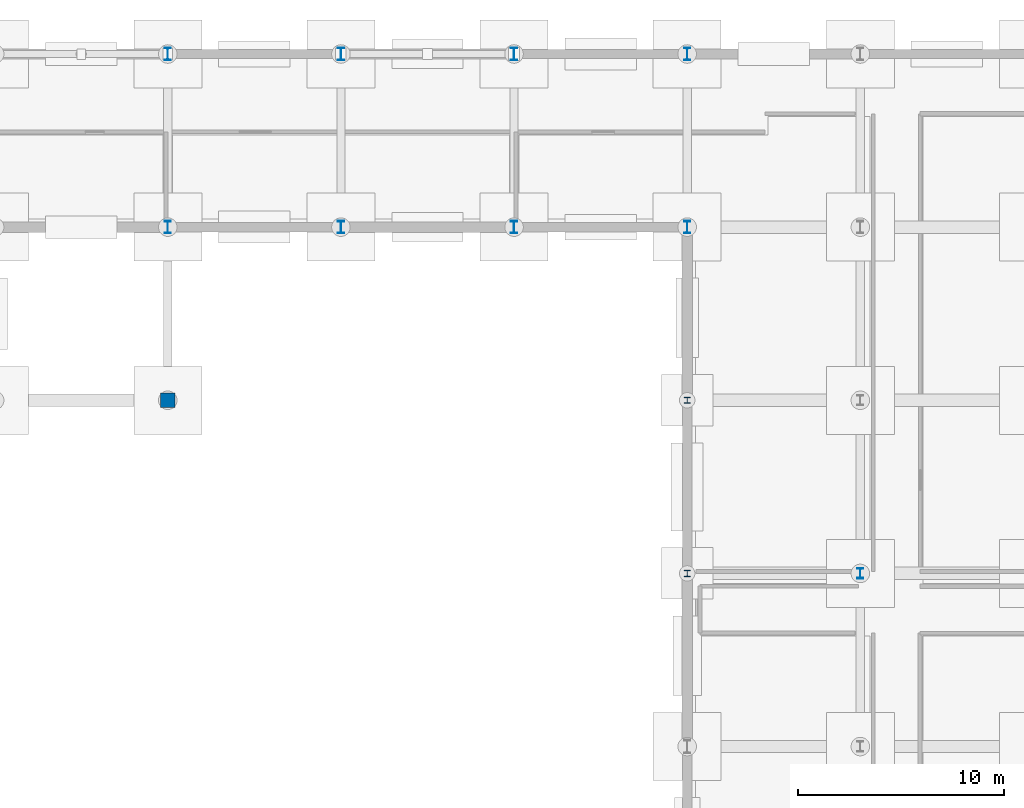
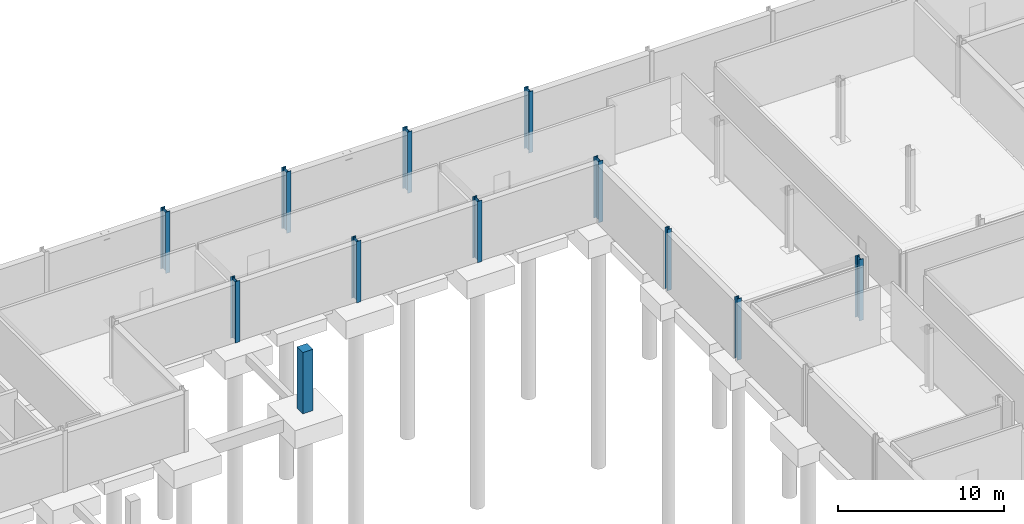
# One storey, part 18 of 43: 12 columns.
"""IFC4 building model written with IfcOpenShell, lengths in metres."""

from ifc_helpers import new_model, si_unit, direction, frame, origin, origin_2d, place, context, subcontext, project, spatial, rectangle, i_section, extrude, material, material_profile, profile_set, type_object, element, save


model = new_model("IFC4")

# Units and contexts
model_context = context("Model", 3, precision=1e-05, world=origin(), true_north=direction((0.0, 1.0)))
body_context = subcontext(model_context, "Body", "Model", "MODEL_VIEW")
ifc_project = project(units=[si_unit("LENGTHUNIT", "METRE"), si_unit("AREAUNIT", "SQUARE_METRE"), si_unit("VOLUMEUNIT", "CUBIC_METRE"), si_unit("PLANEANGLEUNIT", "RADIAN"), si_unit("MASSUNIT", "GRAM", prefix="KILO")], contexts=[model_context])

# Site, building, storey
site_placement = place(None, origin())
site = spatial("IfcSite", under=ifc_project, at=site_placement, CompositionType="ELEMENT")
building_placement = place(site_placement, origin())
building = spatial("IfcBuilding", under=site, at=building_placement, Name="Mersafa Astral City Hall", CompositionType="ELEMENT")
storey_placement = place(building_placement, frame((0.0, 0.0, -4.5)))
storey = spatial("IfcBuildingStorey", under=building, at=storey_placement, Name="B1", CompositionType="ELEMENT", Elevation=-4.5)

# Columns
ifc_material_1 = material(Name="Steel S355", Category="steel")
ifc_material_profile_1 = material_profile(ifc_material_1, i_section(OverallWidth=0.300048828125, OverallDepth=0.300048828125, WebThickness=0.010986328125, FlangeThickness=0.01904296875, FilletRadius=0.027099609375, at=origin_2d()), Name="HEB 300")
ifc_profile_set_1 = profile_set([ifc_material_profile_1], Name="Steel S355")
column_type_1 = type_object("IfcColumnType", Name="STR-COL-HEB300", PredefinedType="COLUMN", material=ifc_profile_set_1)
for number, where, z_axis, x_axis, name in (
    (1, (92.39990234375, 100.800048828125, 0.0), (0.0, 0.0, 1.0), (1.0, 0.0, 0.0), "B1 Structural column G-11-12"),
    (2, (92.39990234375, 109.199951171875, 0.0), (0.0, 0.0, 1.0), (1.0, 0.0, 0.0), "B1 Structural column G-11-13"),
):
    element("IfcColumn", number, at=place(storey_placement, frame(where, z_axis=z_axis, x_axis=x_axis)), inside=storey, type_object=column_type_1, Name=name, PredefinedType="COLUMN", context=body_context, shape_type="SweptSolid", body=[
        extrude(i_section(OverallWidth=0.300048828125, OverallDepth=0.300048828125, WebThickness=0.010986328125, FlangeThickness=0.01904296875, FilletRadius=0.027099609375, at=origin_2d()), origin(), (0.0, 0.0, 1.0), 4.5),
    ])
ifc_material_profile_2 = material_profile(ifc_material_1, i_section(OverallWidth=0.300048828125, OverallDepth=0.5, WebThickness=0.014404296875, FlangeThickness=0.028076171875, FilletRadius=0.027099609375, at=origin_2d()), Name="HEB 500")
ifc_profile_set_2 = profile_set([ifc_material_profile_2], Name="Steel S355")
column_type_2 = type_object("IfcColumnType", Name="STR-COL-HEB500", PredefinedType="COLUMN", material=ifc_profile_set_2)
column_1_placement = place(storey_placement, frame((100.800048828125, 100.800048828125, 0.0), z_axis=(0.0, 0.0, 1.0), x_axis=(1.0, 0.0, 0.0)))
element("IfcColumn", 3, at=column_1_placement, inside=storey, type_object=column_type_2, Name="B1 Structural column G-12-12", PredefinedType="COLUMN", context=body_context, shape_type="SweptSolid", body=[
    extrude(i_section(OverallWidth=0.300048828125, OverallDepth=0.5, WebThickness=0.014404296875, FlangeThickness=0.028076171875, FilletRadius=0.027099609375, at=origin_2d()), origin(), (0.0, 0.0, 1.0), 4.5),
])
ifc_material_profile_3 = material_profile(ifc_material_1, i_section(OverallWidth=0.300048828125, OverallDepth=0.60009765625, WebThickness=0.015380859375, FlangeThickness=0.030029296875, FilletRadius=0.027099609375, at=origin_2d()), Name="HEB 600")
ifc_profile_set_3 = profile_set([ifc_material_profile_3], Name="Steel S355")
column_type_3 = type_object("IfcColumnType", Name="STR-COL-HEB600", PredefinedType="COLUMN", material=ifc_profile_set_3)
for number, where, z_axis, x_axis, name in (
    (4, (67.199951171875, 117.60009765625, 0.0), (0.0, 0.0, 1.0), (1.0, 0.0, 0.0), "B1 Structural column G-08-14"),
    (5, (67.199951171875, 126.0, 0.0), (0.0, 0.0, 1.0), (1.0, 0.0, 0.0), "B1 Structural column G-08-15"),
    (6, (75.60009765625, 117.60009765625, 0.0), (0.0, 0.0, 1.0), (1.0, 0.0, 0.0), "B1 Structural column G-09-14"),
    (7, (75.60009765625, 126.0, 0.0), (0.0, 0.0, 1.0), (1.0, 0.0, 0.0), "B1 Structural column G-09-15"),
    (8, (84.0, 117.60009765625, 0.0), (0.0, 0.0, 1.0), (1.0, 0.0, 0.0), "B1 Structural column G-10-14"),
    (9, (84.0, 126.0, 0.0), (0.0, 0.0, 1.0), (1.0, 0.0, 0.0), "B1 Structural column G-10-15"),
    (10, (92.39990234375, 117.60009765625, 0.0), (0.0, 0.0, 1.0), (1.0, 0.0, 0.0), "B1 Structural column G-11-14"),
    (11, (92.39990234375, 126.0, 0.0), (0.0, 0.0, 1.0), (1.0, 0.0, 0.0), "B1 Structural column G-11-15"),
):
    element("IfcColumn", number, at=place(storey_placement, frame(where, z_axis=z_axis, x_axis=x_axis)), inside=storey, type_object=column_type_3, Name=name, PredefinedType="COLUMN", context=body_context, shape_type="SweptSolid", body=[
        extrude(i_section(OverallWidth=0.300048828125, OverallDepth=0.60009765625, WebThickness=0.015380859375, FlangeThickness=0.030029296875, FilletRadius=0.027099609375, at=origin_2d()), origin(), (0.0, 0.0, 1.0), 4.5),
    ])
ifc_material_2 = material(Name="Concrete C40/50", Category="concrete")
ifc_material_profile_4 = material_profile(ifc_material_2, rectangle(XDim=0.699951171875, YDim=0.699951171875, at=origin_2d()), Name="RC 700x700")
ifc_profile_set_4 = profile_set([ifc_material_profile_4], Name="Concrete C40/50")
column_type_4 = type_object("IfcColumnType", Name="STR-COL-RC700", PredefinedType="COLUMN", material=ifc_profile_set_4)
column_2_placement = place(storey_placement, frame((67.199951171875, 109.199951171875, 0.0), z_axis=(0.0, 0.0, 1.0), x_axis=(1.0, 0.0, 0.0)))
element("IfcColumn", 12, at=column_2_placement, inside=storey, type_object=column_type_4, Name="B1 Structural column G-08-13", PredefinedType="COLUMN", context=body_context, shape_type="SweptSolid", body=[
    extrude(rectangle(XDim=0.699951171875, YDim=0.699951171875, at=origin_2d()), origin(), (0.0, 0.0, 1.0), 4.5),
])

save(model, "model.ifc")
